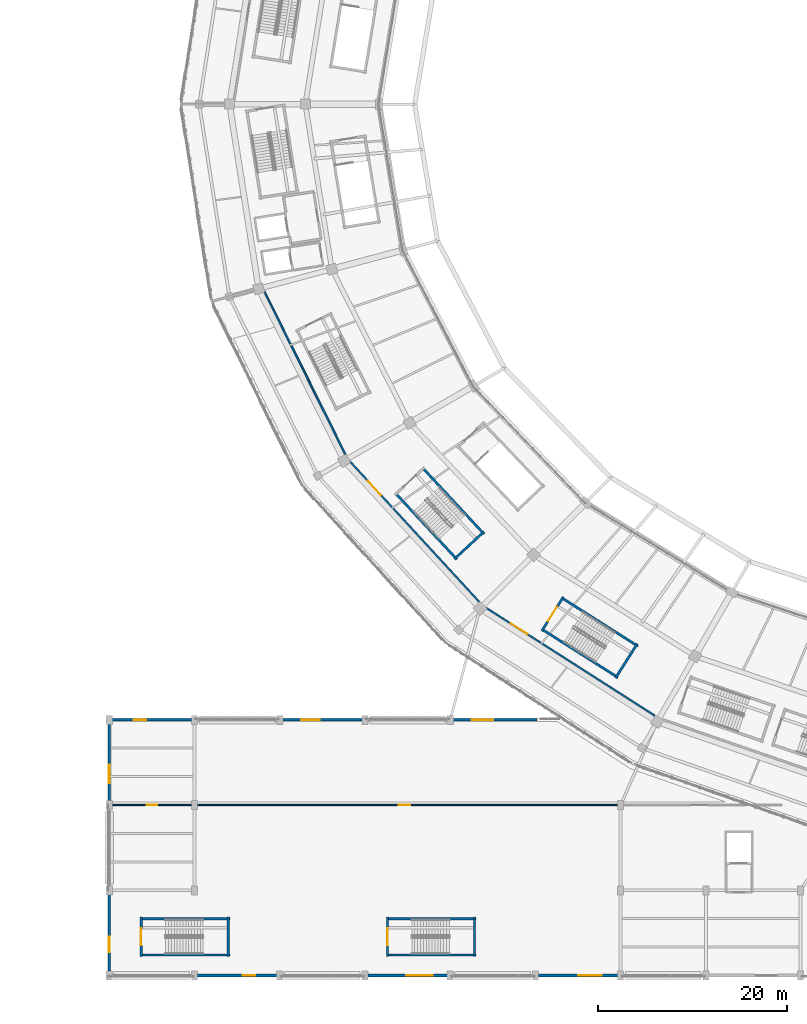
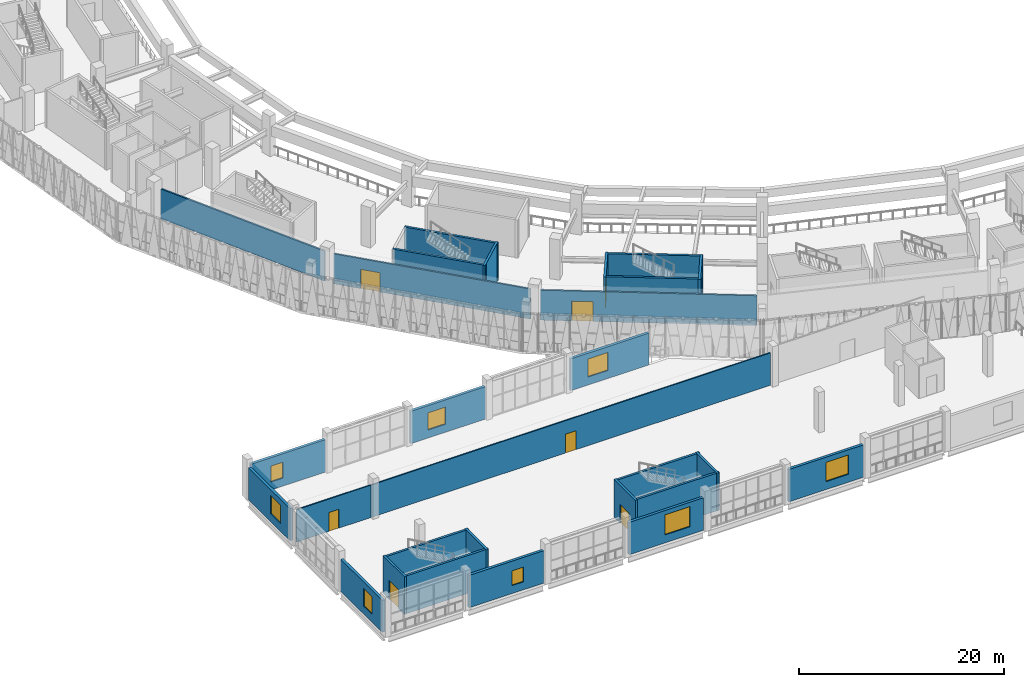
# One storey, part 97 of 179: 28 walls, 8 windows, 7 doors, 15 openings.
"""IFC4 building model written with IfcOpenShell, lengths in metres."""

import ifcopenshell
import ifcopenshell.guid

model = None  # the IFC model being written
_history = None  # IfcOwnerHistory: only IFC2X3 demands one
_inside = {}  # id of a spatial element -> (the spatial element, [elements in it])
_under = {}  # id of a project, library or spatial element -> (it, [spatial elements below it])
_declared = {}  # id of a project -> (the project, [libraries it declares])
_typed = {}  # id of a type object -> (the type object, [elements of that type])
_made_of = {}  # id of a material, layer set ... -> (it, [elements and type objects made of it])


def new_model(schema):
    """Start an empty IFC model of exactly this schema.

    Asked for "IFC4X3", IfcOpenShell would pick the latest addendum, in which some entities
    have other attributes; the version numbers below select the first issue.
    IFC2X3 requires an IfcOwnerHistory on every rooted entity: one is made here for all.
    """
    global model, _history
    if schema == "IFC4X3":
        model = ifcopenshell.file(schema_version=(4, 3, 0, 0))
    else:
        model = ifcopenshell.file(schema=schema)
    _inside.clear()
    _under.clear()
    _declared.clear()
    _typed.clear()
    _made_of.clear()
    _history = None
    if model.schema == "IFC2X3":
        org = make("IfcOrganization", Name="unknown")
        user = make(
            "IfcPersonAndOrganization",
            ThePerson=make("IfcPerson", FamilyName="unknown"),
            TheOrganization=org,
        )
        app = make(
            "IfcApplication",
            ApplicationDeveloper=org,
            Version="unknown",
            ApplicationFullName="unknown",
            ApplicationIdentifier="unknown",
        )
        _history = make(
            "IfcOwnerHistory",
            OwningUser=user,
            OwningApplication=app,
            ChangeAction="ADDED",
            CreationDate=0,
        )
    return model


def make(cls, **values):
    """One entity of the class cls with the attributes given. An attribute that is None is left unset."""
    return model.create_entity(
        cls, **{name: value for name, value in values.items() if value is not None}
    )


def rooted(cls, **values):
    """An entity with a GlobalId (a new one), such as an element, a storey or a relation."""
    return make(cls, GlobalId=ifcopenshell.guid.new(), OwnerHistory=_history, **values)


def si_unit(unit_type, name, prefix=None):
    """IfcSIUnit, for example si_unit("LENGTHUNIT", "METRE", prefix="MILLI")."""
    return make("IfcSIUnit", UnitType=unit_type, Prefix=prefix, Name=name)


def assignment(units):
    """IfcUnitAssignment: the units of a project."""
    return None if units is None else make("IfcUnitAssignment", Units=units)


def point(xyz):
    """IfcCartesianPoint."""
    return None if xyz is None else make("IfcCartesianPoint", Coordinates=xyz)


def direction(xyz):
    """IfcDirection."""
    return None if xyz is None else make("IfcDirection", DirectionRatios=xyz)


def frame(location, z_axis=None, x_axis=None):
    """IfcAxis2Placement3D, a coordinate frame: its origin and axes. An axis left out is left unset."""
    return make(
        "IfcAxis2Placement3D",
        Location=point(location),
        Axis=direction(z_axis),
        RefDirection=direction(x_axis),
    )


def frame_2d(location, x_axis=None):
    """IfcAxis2Placement2D, a coordinate frame in the plane: its origin and x axis."""
    return make(
        "IfcAxis2Placement2D", Location=point(location), RefDirection=direction(x_axis)
    )


def origin():
    """The frame at (0, 0, 0) with its axes left unset."""
    return frame((0.0, 0.0, 0.0))


def place(relative_to, where):
    """IfcLocalPlacement: puts the frame where relative to a parent placement (None: the world)."""
    return make(
        "IfcLocalPlacement", PlacementRelTo=relative_to, RelativePlacement=where
    )


def context(
    kind, dimensions, precision=None, world=None, true_north=None, identifier=None
):
    """IfcGeometricRepresentationContext, for example the 3D "Model" context."""
    return make(
        "IfcGeometricRepresentationContext",
        ContextIdentifier=identifier,
        ContextType=kind,
        CoordinateSpaceDimension=dimensions,
        Precision=precision,
        WorldCoordinateSystem=world,
        TrueNorth=true_north,
    )


def subcontext(parent, identifier, kind, view, scale=None):
    """IfcGeometricRepresentationSubContext, for example "Body" below "Model"."""
    return make(
        "IfcGeometricRepresentationSubContext",
        ContextIdentifier=identifier,
        ContextType=kind,
        ParentContext=parent,
        TargetScale=scale,
        TargetView=view,
    )


def project(units=None, contexts=None):
    """IfcProject with its units and contexts."""
    return rooted(
        "IfcProject",
        Name="project",
        RepresentationContexts=contexts,
        UnitsInContext=assignment(units),
    )


def spatial(cls, under=None, at=None, **own):
    """A site, building, storey or space (cls), placed at a placement, below another one or the project."""
    s = rooted(cls, ObjectPlacement=at, **own)
    if under is not None:
        _under.setdefault(under.id(), (under, []))[1].append(s)
    return s


def profile(cls, at=None, kind="AREA", **sizes):
    """A parametric profile (cls). Its sizes go by their IFC names, for example OverallWidth=200.0."""
    return make(cls, ProfileType=kind, Position=at, **sizes)


def rectangle(**sizes):
    """IfcRectangleProfileDef."""
    return profile("IfcRectangleProfileDef", **sizes)


def extrude(swept, where, along, depth):
    """IfcExtrudedAreaSolid: the profile swept, set in the frame where, extruded along a direction by depth."""
    return make(
        "IfcExtrudedAreaSolid",
        SweptArea=swept,
        Position=where,
        ExtrudedDirection=direction(along),
        Depth=depth,
    )


def shape(context_of_items, identifier, shape_type, items):
    """IfcShapeRepresentation: the items that make up one representation, for example the "Body"."""
    return make(
        "IfcShapeRepresentation",
        ContextOfItems=context_of_items,
        RepresentationIdentifier=identifier,
        RepresentationType=shape_type,
        Items=items,
    )


def material(Name=None, Category=None):
    """IfcMaterial."""
    return make("IfcMaterial", Name=Name, Category=Category)


def layer(
    of_material, thickness, ventilated=None, Name=None, Category=None, Priority=None
):
    """IfcMaterialLayer: one layer of a wall or slab, of a material (None: an air gap)."""
    return make(
        "IfcMaterialLayer",
        Material=of_material,
        LayerThickness=thickness,
        IsVentilated=ventilated,
        Name=Name,
        Category=Category,
        Priority=Priority,
    )


def layer_set(layers, Name=None):
    """IfcMaterialLayerSet."""
    return make("IfcMaterialLayerSet", MaterialLayers=layers, LayerSetName=Name)


def made_of(thing, what):
    """Note that an element or type object is made of a material, layer set ...; save() writes the relation."""
    if what is not None:
        _made_of.setdefault(what.id(), (what, []))[1].append(thing)
    return thing


def type_object(cls, material=None, **own):
    """A type object (cls), such as IfcWallType, which elements share."""
    return made_of(rooted(cls, **own), material)


def element(
    cls,
    number,
    at=None,
    inside=None,
    cuts=None,
    type_object=None,
    material=None,
    context=None,
    identifier="Body",
    shape_type=None,
    held_by="IfcProductDefinitionShape",
    body=None,
    shapes=None,
    **own,
):
    """One element of the class cls, such as IfcWall. Its Tag is "e" and its number.

    at: its placement. inside: the storey or other place that contains it. cuts: it is an
    opening in that element (IfcRelVoidsElement). A single representation is given by context,
    identifier, shape_type and body (its items); several are given by shapes. held_by: the class
    of the entity that holds the representations. save() writes the other relations.
    """
    e = rooted(cls, Tag="e%d" % number, ObjectPlacement=at, **own)
    if body is not None:
        shapes = [shape(context, identifier, shape_type, body)]
    if shapes is not None:
        e.Representation = make(held_by, Representations=shapes)
    if inside is not None:
        _inside.setdefault(inside.id(), (inside, []))[1].append(e)
    if cuts is not None:
        rooted(
            "IfcRelVoidsElement", RelatingBuildingElement=cuts, RelatedOpeningElement=e
        )
    if type_object is not None:
        _typed.setdefault(type_object.id(), (type_object, []))[1].append(e)
    return made_of(e, material)


def fill(opening, filler):
    """IfcRelFillsElement: the door or window that sits in an opening."""
    return rooted(
        "IfcRelFillsElement",
        RelatingOpeningElement=opening,
        RelatedBuildingElement=filler,
    )


def aggregate(whole, parts):
    """IfcRelAggregates: a whole, such as a stair, and the parts it consists of."""
    return rooted("IfcRelAggregates", RelatingObject=whole, RelatedObjects=parts)


def save(model, path):
    """Write the relations noted so far, then the file.

    IfcRelAggregates (storeys below a building ...), IfcRelContainedInSpatialStructure (elements
    in a storey), IfcRelDefinesByType, IfcRelAssociatesMaterial and IfcRelDeclares: one each for
    every whole, place, type object, material and project.
    """
    for whole, parts in _under.values():
        aggregate(whole, parts)
    for where, things in _inside.values():
        rooted(
            "IfcRelContainedInSpatialStructure",
            RelatedElements=things,
            RelatingStructure=where,
        )
    for kind, things in _typed.values():
        rooted("IfcRelDefinesByType", RelatedObjects=things, RelatingType=kind)
    for what, things in _made_of.values():
        rooted("IfcRelAssociatesMaterial", RelatedObjects=things, RelatingMaterial=what)
    for by, libraries in _declared.values():
        rooted("IfcRelDeclares", RelatingContext=by, RelatedDefinitions=libraries)
    model.write(path)


model = new_model("IFC4")

# Units and contexts
model_context = context("Model", 3, precision=1e-05, world=origin(), true_north=direction((0.0, 1.0)))
body_context = subcontext(model_context, "Body", "Model", "MODEL_VIEW")
ifc_project = project(units=[si_unit("LENGTHUNIT", "METRE"), si_unit("AREAUNIT", "SQUARE_METRE"), si_unit("VOLUMEUNIT", "CUBIC_METRE"), si_unit("PLANEANGLEUNIT", "RADIAN"), si_unit("MASSUNIT", "GRAM", prefix="KILO")], contexts=[model_context])

# Site, building, storey
site_placement = place(None, origin())
site = spatial("IfcSite", under=ifc_project, at=site_placement, CompositionType="ELEMENT")
building_placement = place(site_placement, origin())
building = spatial("IfcBuilding", under=site, at=building_placement, Name="Zevraka Park Crest Stadium", CompositionType="ELEMENT")
storey_placement = place(building_placement, frame((0.0, 0.0, 10.199951171875)))
storey = spatial("IfcBuildingStorey", under=building, at=storey_placement, Name="L02", CompositionType="ELEMENT", Elevation=10.199951171875)

# Wall, opening, window
ifc_material_1 = material(Name="Limestone and red clay brick masonry", Category="masonry")
ifc_layer_1 = layer(ifc_material_1, 0.300048828125)
ifc_layer_set_1 = layer_set([ifc_layer_1], Name="Limestone and red clay brick masonry")
wall_type_1 = type_object("IfcWallType", Name="EW02", PredefinedType="STANDARD", material=ifc_layer_set_1)
wall_1_placement = place(storey_placement, frame((62.699951171875, 0.0, 0.0), z_axis=(0.0, 0.0, 1.0), x_axis=(-1.0, 0.0, 0.0)))
wall_1 = element("IfcWall", 1, at=wall_1_placement, inside=storey, type_object=wall_type_1, Name="Wing External Cavity Wall EW02 L02-SW-S1-3", PredefinedType="STANDARD", context=body_context, shape_type="SweptSolid", body=[
    extrude(rectangle(XDim=8.39990234375, YDim=0.300048828125, at=frame_2d((4.199951171875, 0.0))), origin(), (0.0, 0.0, 1.0), 3.85498046875),
])
opening_1_placement = place(wall_1_placement, frame((1.68994140625, 0.0, 0.949951171875)))
opening_1 = element("IfcOpeningElement", 2, at=opening_1_placement, cuts=wall_1, Name="Opening WN29", PredefinedType="OPENING", context=body_context, shape_type="SweptSolid", body=[
    extrude(rectangle(XDim=2.5, YDim=2.300048828125, at=frame_2d((1.25, 1.14990234375))), frame((0.0, 0.159912109375, 0.0), z_axis=(0.0, -1.0, 0.0), x_axis=(1.0, 0.0, 0.0)), (0.0, 0.0, 1.0), 0.320068359375),
])
ifc_material_2 = material(Name="Solar-control laminated double glazing in aluminium frame", Category="aluminium")
window_type_1 = type_object("IfcWindowType", Name="WN29", PartitioningType="SINGLE_PANEL", PredefinedType="WINDOW", material=ifc_material_2)
window_1_placement = place(opening_1_placement, origin())
window_1 = element("IfcWindow", 3, at=window_1_placement, inside=storey, type_object=window_type_1, Name="Facade Casement Window WN29 W-L02-070", OverallHeight=2.300048828125, OverallWidth=2.5, PartitioningType="SINGLE_PANEL", PredefinedType="WINDOW", context=body_context, shape_type="SweptSolid", body=[
    extrude(rectangle(XDim=2.5, YDim=2.300048828125, at=frame_2d((1.25, 1.14990234375))), frame((0.0, 0.030029296875, 0.0), z_axis=(0.0, -1.0, 0.0), x_axis=(1.0, 0.0, 0.0)), (0.0, 0.0, 1.0), 0.06005859375),
])
fill(opening_1, window_1)

wall_2_placement = place(storey_placement, frame((44.699951171875, 0.0, 0.0), z_axis=(0.0, 0.0, 1.0), x_axis=(-1.0, 0.0, 0.0)))
wall_2 = element("IfcWall", 4, at=wall_2_placement, inside=storey, type_object=wall_type_1, Name="Wing External Cavity Wall EW02 L02-SW-S1-5", PredefinedType="STANDARD", context=body_context, shape_type="SweptSolid", body=[
    extrude(rectangle(XDim=8.39990234375, YDim=0.300048828125, at=frame_2d((4.199951171875, 0.0))), origin(), (0.0, 0.0, 1.0), 3.85498046875),
])
opening_2_placement = place(wall_2_placement, frame((1.5400390625, 0.0, 0.949951171875)))
opening_2 = element("IfcOpeningElement", 5, at=opening_2_placement, cuts=wall_2, Name="Opening WN30", PredefinedType="OPENING", context=body_context, shape_type="SweptSolid", body=[
    extrude(rectangle(XDim=2.800048828125, YDim=2.39990234375, at=frame_2d((1.39990234375, 1.199951171875))), frame((0.0, 0.159912109375, 0.0), z_axis=(0.0, -1.0, 0.0), x_axis=(1.0, 0.0, 0.0)), (0.0, 0.0, 1.0), 0.320068359375),
])
ifc_material_3 = material(Name="Solar-control laminated double glazing in aluminium frame", Category="aluminium")
window_type_2 = type_object("IfcWindowType", Name="WN30", PartitioningType="SINGLE_PANEL", PredefinedType="WINDOW", material=ifc_material_3)
window_2_placement = place(opening_2_placement, origin())
window_2 = element("IfcWindow", 6, at=window_2_placement, inside=storey, type_object=window_type_2, Name="Facade Casement Window WN30 W-L02-071", OverallHeight=2.39990234375, OverallWidth=2.800048828125, PartitioningType="SINGLE_PANEL", PredefinedType="WINDOW", context=body_context, shape_type="SweptSolid", body=[
    extrude(rectangle(XDim=2.800048828125, YDim=2.39990234375, at=frame_2d((1.39990234375, 1.199951171875))), frame((0.0, 0.030029296875, 0.0), z_axis=(0.0, -1.0, 0.0), x_axis=(1.0, 0.0, 0.0)), (0.0, 0.0, 1.0), 0.06005859375),
])
fill(opening_2, window_2)

wall_3_placement = place(storey_placement, frame((26.699951171875, 0.0, 0.0), z_axis=(0.0, 0.0, 1.0), x_axis=(-1.0, 0.0, 0.0)))
wall_3 = element("IfcWall", 7, at=wall_3_placement, inside=storey, type_object=wall_type_1, Name="Wing External Cavity Wall EW02 L02-SW-S1-7", PredefinedType="STANDARD", context=body_context, shape_type="SweptSolid", body=[
    extrude(rectangle(XDim=8.39990234375, YDim=0.300048828125, at=frame_2d((4.199951171875, 0.0))), origin(), (0.0, 0.0, 1.0), 3.85498046875),
])
opening_3_placement = place(wall_3_placement, frame((2.2900390625, 0.0, 0.949951171875)))
opening_3 = element("IfcOpeningElement", 8, at=opening_3_placement, cuts=wall_3, Name="Opening WN31", PredefinedType="OPENING", context=body_context, shape_type="SweptSolid", body=[
    extrude(rectangle(XDim=1.300048828125, YDim=1.75, at=frame_2d((0.64990234375, 0.875))), frame((0.0, 0.159912109375, 0.0), z_axis=(0.0, -1.0, 0.0), x_axis=(1.0, 0.0, 0.0)), (0.0, 0.0, 1.0), 0.320068359375),
])
ifc_material_4 = material(Name="Solar-control laminated double glazing in aluminium frame", Category="aluminium")
window_type_3 = type_object("IfcWindowType", Name="WN31", PartitioningType="SINGLE_PANEL", PredefinedType="WINDOW", material=ifc_material_4)
window_3_placement = place(opening_3_placement, origin())
window_3 = element("IfcWindow", 9, at=window_3_placement, inside=storey, type_object=window_type_3, Name="Facade Casement Window WN31 W-L02-072", OverallHeight=1.75, OverallWidth=1.300048828125, PartitioningType="SINGLE_PANEL", PredefinedType="WINDOW", context=body_context, shape_type="SweptSolid", body=[
    extrude(rectangle(XDim=1.300048828125, YDim=1.75, at=frame_2d((0.64990234375, 0.875))), frame((0.0, 0.030029296875, 0.0), z_axis=(0.0, -1.0, 0.0), x_axis=(1.0, 0.0, 0.0)), (0.0, 0.0, 1.0), 0.06005859375),
])
fill(opening_3, window_3)

wall_4_placement = place(storey_placement, frame((9.0, 0.449951171875, 0.0), z_axis=(0.0, 0.0, 1.0), x_axis=(0.0, 1.0, 0.0)))
wall_4 = element("IfcWall", 10, at=wall_4_placement, inside=storey, type_object=wall_type_1, Name="Wing External Cavity Wall EW02 L02-SW-W-1", PredefinedType="STANDARD", context=body_context, shape_type="SweptSolid", body=[
    extrude(rectangle(XDim=8.10009765625, YDim=0.300048828125, at=frame_2d((4.050048828125, 0.0))), origin(), (0.0, 0.0, 1.0), 3.817138671875),
])
opening_4_placement = place(wall_4_placement, frame((2.02490234375, 0.0, 0.949951171875)))
opening_4 = element("IfcOpeningElement", 11, at=opening_4_placement, cuts=wall_4, Name="Opening WN38", PredefinedType="OPENING", context=body_context, shape_type="SweptSolid", body=[
    extrude(rectangle(XDim=1.6201171875, YDim=2.1201171875, at=frame_2d((0.81005859375, 1.06005859375))), frame((0.0, 0.159912109375, 0.0), z_axis=(0.0, -1.0, 0.0), x_axis=(1.0, 0.0, 0.0)), (0.0, 0.0, 1.0), 0.320068359375),
])
ifc_material_5 = material(Name="Solar-control laminated double glazing in aluminium frame", Category="aluminium")
window_type_4 = type_object("IfcWindowType", Name="WN38", PartitioningType="SINGLE_PANEL", PredefinedType="WINDOW", material=ifc_material_5)
window_4_placement = place(opening_4_placement, origin())
window_4 = element("IfcWindow", 12, at=window_4_placement, inside=storey, type_object=window_type_4, Name="Facade Casement Window WN38 W-L02-079", OverallHeight=2.1201171875, OverallWidth=1.6201171875, PartitioningType="SINGLE_PANEL", PredefinedType="WINDOW", context=body_context, shape_type="SweptSolid", body=[
    extrude(rectangle(XDim=1.6201171875, YDim=2.1201171875, at=frame_2d((0.81005859375, 1.06005859375))), frame((0.0, 0.030029296875, 0.0), z_axis=(0.0, -1.0, 0.0), x_axis=(1.0, 0.0, 0.0)), (0.0, 0.0, 1.0), 0.06005859375),
])
fill(opening_4, window_4)

wall_5_placement = place(storey_placement, frame((9.0, 18.449951171875, 0.0), z_axis=(0.0, 0.0, 1.0), x_axis=(0.0, 1.0, 0.0)))
wall_5 = element("IfcWall", 13, at=wall_5_placement, inside=storey, type_object=wall_type_1, Name="Wing External Cavity Wall EW02 L02-SW-W-3", PredefinedType="STANDARD", context=body_context, shape_type="SweptSolid", body=[
    extrude(rectangle(XDim=8.10009765625, YDim=0.300048828125, at=frame_2d((4.050048828125, 0.0))), origin(), (0.0, 0.0, 1.0), 3.817138671875),
])
opening_5_placement = place(wall_5_placement, frame((1.875, 0.0, 0.949951171875)))
opening_5 = element("IfcOpeningElement", 14, at=opening_5_placement, cuts=wall_5, Name="Opening WN39", PredefinedType="OPENING", context=body_context, shape_type="SweptSolid", body=[
    extrude(rectangle(XDim=1.919921875, YDim=2.179931640625, at=frame_2d((0.9599609375, 1.08984375))), frame((0.0, 0.159912109375, 0.0), z_axis=(0.0, -1.0, 0.0), x_axis=(1.0, 0.0, 0.0)), (0.0, 0.0, 1.0), 0.320068359375),
])
ifc_material_6 = material(Name="Solar-control laminated double glazing in aluminium frame", Category="aluminium")
window_type_5 = type_object("IfcWindowType", Name="WN39", PartitioningType="SINGLE_PANEL", PredefinedType="WINDOW", material=ifc_material_6)
window_5_placement = place(opening_5_placement, origin())
window_5 = element("IfcWindow", 15, at=window_5_placement, inside=storey, type_object=window_type_5, Name="Facade Casement Window WN39 W-L02-080", OverallHeight=2.179931640625, OverallWidth=1.919921875, PartitioningType="SINGLE_PANEL", PredefinedType="WINDOW", context=body_context, shape_type="SweptSolid", body=[
    extrude(rectangle(XDim=1.919921875, YDim=2.179931640625, at=frame_2d((0.9599609375, 1.08984375))), frame((0.0, 0.030029296875, 0.0), z_axis=(0.0, -1.0, 0.0), x_axis=(1.0, 0.0, 0.0)), (0.0, 0.0, 1.0), 0.06005859375),
])
fill(opening_5, window_5)

wall_6_placement = place(storey_placement, frame((9.300048828125, 27.0, 0.0), z_axis=(0.0, 0.0, 1.0), x_axis=(1.0, 0.0, 0.0)))
wall_6 = element("IfcWall", 16, at=wall_6_placement, inside=storey, type_object=wall_type_1, Name="Wing External Cavity Wall EW02 L02-SW-N-1", PredefinedType="STANDARD", context=body_context, shape_type="SweptSolid", body=[
    extrude(rectangle(XDim=8.39990234375, YDim=0.300048828125, at=frame_2d((4.199951171875, 0.0))), origin(), (0.0, 0.0, 1.0), 3.85498046875),
])
opening_6_placement = place(wall_6_placement, frame((2.264892578125, 0.0, 0.949951171875)))
opening_6 = element("IfcOpeningElement", 17, at=opening_6_placement, cuts=wall_6, Name="Opening WN09", PredefinedType="OPENING", context=body_context, shape_type="SweptSolid", body=[
    extrude(rectangle(XDim=1.35009765625, YDim=1.89990234375, at=frame_2d((0.675048828125, 0.949951171875))), frame((0.0, 0.159912109375, 0.0), z_axis=(0.0, -1.0, 0.0), x_axis=(1.0, 0.0, 0.0)), (0.0, 0.0, 1.0), 0.320068359375),
])
ifc_material_7 = material(Name="Solar-control laminated double glazing in aluminium frame", Category="aluminium")
window_type_6 = type_object("IfcWindowType", Name="WN09", PartitioningType="SINGLE_PANEL", PredefinedType="WINDOW", material=ifc_material_7)
window_6_placement = place(opening_6_placement, origin())
window_6 = element("IfcWindow", 18, at=window_6_placement, inside=storey, type_object=window_type_6, Name="Facade Casement Window WN09 W-L02-091", OverallHeight=1.89990234375, OverallWidth=1.35009765625, PartitioningType="SINGLE_PANEL", PredefinedType="WINDOW", context=body_context, shape_type="SweptSolid", body=[
    extrude(rectangle(XDim=1.35009765625, YDim=1.89990234375, at=frame_2d((0.675048828125, 0.949951171875))), frame((0.0, 0.030029296875, 0.0), z_axis=(0.0, -1.0, 0.0), x_axis=(1.0, 0.0, 0.0)), (0.0, 0.0, 1.0), 0.06005859375),
])
fill(opening_6, window_6)

wall_7_placement = place(storey_placement, frame((27.300048828125, 27.0, 0.0), z_axis=(0.0, 0.0, 1.0), x_axis=(1.0, 0.0, 0.0)))
wall_7 = element("IfcWall", 19, at=wall_7_placement, inside=storey, type_object=wall_type_1, Name="Wing External Cavity Wall EW02 L02-SW-N-3", PredefinedType="STANDARD", context=body_context, shape_type="SweptSolid", body=[
    extrude(rectangle(XDim=8.39990234375, YDim=0.300048828125, at=frame_2d((4.199951171875, 0.0))), origin(), (0.0, 0.0, 1.0), 3.85498046875),
])
opening_7_placement = place(wall_7_placement, frame((1.965087890625, 0.0, 0.949951171875)))
opening_7 = element("IfcOpeningElement", 20, at=opening_7_placement, cuts=wall_7, Name="Opening WN10", PredefinedType="OPENING", context=body_context, shape_type="SweptSolid", body=[
    extrude(rectangle(XDim=1.949951171875, YDim=2.050048828125, at=frame_2d((0.97509765625, 1.02490234375))), frame((0.0, 0.159912109375, 0.0), z_axis=(0.0, -1.0, 0.0), x_axis=(1.0, 0.0, 0.0)), (0.0, 0.0, 1.0), 0.320068359375),
])
ifc_material_8 = material(Name="Solar-control laminated double glazing in aluminium frame", Category="aluminium")
window_type_7 = type_object("IfcWindowType", Name="WN10", PartitioningType="SINGLE_PANEL", PredefinedType="WINDOW", material=ifc_material_8)
window_7_placement = place(opening_7_placement, origin())
window_7 = element("IfcWindow", 21, at=window_7_placement, inside=storey, type_object=window_type_7, Name="Facade Casement Window WN10 W-L02-092", OverallHeight=2.050048828125, OverallWidth=1.949951171875, PartitioningType="SINGLE_PANEL", PredefinedType="WINDOW", context=body_context, shape_type="SweptSolid", body=[
    extrude(rectangle(XDim=1.949951171875, YDim=2.050048828125, at=frame_2d((0.97509765625, 1.02490234375))), frame((0.0, 0.030029296875, 0.0), z_axis=(0.0, -1.0, 0.0), x_axis=(1.0, 0.0, 0.0)), (0.0, 0.0, 1.0), 0.06005859375),
])
fill(opening_7, window_7)

wall_8_placement = place(storey_placement, frame((45.300048828125, 27.0, 0.0), z_axis=(0.0, 0.0, 1.0), x_axis=(1.0, 0.0, 0.0)))
wall_8 = element("IfcWall", 22, at=wall_8_placement, inside=storey, type_object=wall_type_1, Name="Wing External Cavity Wall EW02 L02-SW-N-5", PredefinedType="STANDARD", context=body_context, shape_type="SweptSolid", body=[
    extrude(rectangle(XDim=8.849853515625, YDim=0.300048828125, at=frame_2d((4.4248046875, 0.0))), origin(), (0.0, 0.0, 1.0), 3.783447265625),
])
opening_8_placement = place(wall_8_placement, frame((1.972900390625, 0.0, 0.949951171875)))
opening_8 = element("IfcOpeningElement", 23, at=opening_8_placement, cuts=wall_8, Name="Opening WN11", PredefinedType="OPENING", context=body_context, shape_type="SweptSolid", body=[
    extrude(rectangle(XDim=2.25, YDim=2.14990234375, at=frame_2d((1.125, 1.074951171875))), frame((0.0, 0.159912109375, 0.0), z_axis=(0.0, -1.0, 0.0), x_axis=(1.0, 0.0, 0.0)), (0.0, 0.0, 1.0), 0.320068359375),
])
ifc_material_9 = material(Name="Solar-control laminated double glazing in aluminium frame", Category="aluminium")
window_type_8 = type_object("IfcWindowType", Name="WN11", PartitioningType="SINGLE_PANEL", PredefinedType="WINDOW", material=ifc_material_9)
window_8_placement = place(opening_8_placement, origin())
window_8 = element("IfcWindow", 24, at=window_8_placement, inside=storey, type_object=window_type_8, Name="Facade Casement Window WN11 W-L02-093", OverallHeight=2.14990234375, OverallWidth=2.25, PartitioningType="SINGLE_PANEL", PredefinedType="WINDOW", context=body_context, shape_type="SweptSolid", body=[
    extrude(rectangle(XDim=2.25, YDim=2.14990234375, at=frame_2d((1.125, 1.074951171875))), frame((0.0, 0.030029296875, 0.0), z_axis=(0.0, -1.0, 0.0), x_axis=(1.0, 0.0, 0.0)), (0.0, 0.0, 1.0), 0.06005859375),
])
fill(opening_8, window_8)

# Wall, opening, door
ifc_material_10 = material(Name="Fire-rated twin-stud acoustic drywall", Category="other")
ifc_layer_2 = layer(ifc_material_10, 0.139892578125)
ifc_layer_set_2 = layer_set([ifc_layer_2], Name="Fire-rated twin-stud acoustic drywall")
wall_type_2 = type_object("IfcWallType", Name="IW03", PredefinedType="PARTITIONING", material=ifc_layer_set_2)
wall_9_placement = place(storey_placement, frame((9.31005859375, 18.0, 0.0), z_axis=(0.0, 0.0, 1.0), x_axis=(1.0, 0.0, 0.0)))
wall_9 = element("IfcWall", 25, at=wall_9_placement, inside=storey, type_object=wall_type_2, Name="Interior Partition IW03 Event Security and Accreditation Office L02", PredefinedType="PARTITIONING", context=body_context, shape_type="SweptSolid", body=[
    extrude(rectangle(XDim=8.3798828125, YDim=0.139892578125, at=frame_2d((4.18994140625, 0.0))), origin(), (0.0, 0.0, 1.0), 3.85498046875),
])
opening_9_placement = place(wall_9_placement, frame((3.6298828125, 0.0, 0.0)))
opening_9 = element("IfcOpeningElement", 26, at=opening_9_placement, cuts=wall_9, Name="Opening D-L02-432", PredefinedType="OPENING", context=body_context, shape_type="SweptSolid", body=[
    extrude(rectangle(XDim=1.1201171875, YDim=2.25, at=frame_2d((0.56005859375, 1.125))), frame((0.0, 0.079833984375, 0.0), z_axis=(0.0, -1.0, 0.0), x_axis=(1.0, 0.0, 0.0)), (0.0, 0.0, 1.0), 0.159912109375),
])
ifc_material_11 = material(Name="Solid-core hardwood timber leaf in steel frame", Category="steel")
door_type_1 = type_object("IfcDoorType", Name="DR23", OperationType="NOTDEFINED", PredefinedType="DOOR", material=ifc_material_11)
door_1_placement = place(opening_9_placement, origin())
door_1 = element("IfcDoor", 27, at=door_1_placement, inside=storey, type_object=door_type_1, Name="Event Security and Accreditation Office Door D-L02-432", OperationType="SINGLE_SWING_LEFT", OverallHeight=2.25, OverallWidth=1.1201171875, PredefinedType="DOOR", context=body_context, shape_type="SweptSolid", body=[
    extrude(rectangle(XDim=1.1201171875, YDim=2.25, at=frame_2d((0.56005859375, 1.125))), frame((0.0, 0.02490234375, 0.0), z_axis=(0.0, -1.0, 0.0), x_axis=(1.0, 0.0, 0.0)), (0.0, 0.0, 1.0), 0.050048828125),
])
fill(opening_9, door_1)

wall_10_placement = place(storey_placement, frame((17.675048828125, 18.0, 0.0), z_axis=(0.0, 0.0, 1.0), x_axis=(1.0, 0.0, 0.0)))
wall_10 = element("IfcWall", 28, at=wall_10_placement, inside=storey, type_object=wall_type_2, Name="Interior Partition IW03 Event Security and Accreditation Office L02", PredefinedType="PARTITIONING", context=body_context, shape_type="SweptSolid", body=[
    extrude(rectangle(XDim=45.014892578125, YDim=0.139892578125, at=frame_2d((22.50732421875, 0.0))), origin(), (0.0, 0.0, 1.0), 3.85498046875),
])
opening_10_placement = place(wall_10_placement, frame((21.91796875, 0.0, 0.0)))
opening_10 = element("IfcOpeningElement", 29, at=opening_10_placement, cuts=wall_10, Name="Opening D-L02-433", PredefinedType="OPENING", context=body_context, shape_type="SweptSolid", body=[
    extrude(rectangle(XDim=1.179931640625, YDim=2.25, at=frame_2d((0.58984375, 1.125))), frame((0.0, 0.079833984375, 0.0), z_axis=(0.0, -1.0, 0.0), x_axis=(1.0, 0.0, 0.0)), (0.0, 0.0, 1.0), 0.159912109375),
])
ifc_material_12 = material(Name="Solid-core hardwood timber leaf in steel frame", Category="steel")
door_type_2 = type_object("IfcDoorType", Name="DR24", OperationType="NOTDEFINED", PredefinedType="DOOR", material=ifc_material_12)
door_2_placement = place(opening_10_placement, origin())
door_2 = element("IfcDoor", 30, at=door_2_placement, inside=storey, type_object=door_type_2, Name="Event Security and Accreditation Office Door D-L02-433", OperationType="SINGLE_SWING_RIGHT", OverallHeight=2.25, OverallWidth=1.179931640625, PredefinedType="DOOR", context=body_context, shape_type="SweptSolid", body=[
    extrude(rectangle(XDim=1.179931640625, YDim=2.25, at=frame_2d((0.58984375, 1.125))), frame((0.0, 0.02490234375, 0.0), z_axis=(0.0, -1.0, 0.0), x_axis=(1.0, 0.0, 0.0)), (0.0, 0.0, 1.0), 0.050048828125),
])
fill(opening_10, door_2)

# Wall
ifc_material_13 = material(Name="Fire-rated twin-stud acoustic drywall", Category="other")
ifc_layer_3 = layer(ifc_material_13, 0.179931640625)
ifc_layer_set_3 = layer_set([ifc_layer_3], Name="Fire-rated twin-stud acoustic drywall")
wall_type_3 = type_object("IfcWallType", Name="IW06", PredefinedType="PARTITIONING", material=ifc_layer_set_3)
wall_11_placement = place(storey_placement, frame((25.384033203125, 72.215087890625, 0.0), z_axis=(0.0, 0.0, 1.0), x_axis=(0.445193759993, -0.895434261162, 0.0)))
element("IfcWall", 31, at=wall_11_placement, inside=storey, type_object=wall_type_3, Name="Interior Partition IW06 West Club Members Lounge L02", PredefinedType="PARTITIONING", context=body_context, shape_type="SweptSolid", body=[
    extrude(rectangle(XDim=19.205322265625, YDim=0.179931640625, at=frame_2d((9.6025390625, 0.0))), origin(), (0.0, 0.0, 1.0), 3.56494140625),
])

# Wall, opening, door
wall_12_placement = place(storey_placement, frame((34.43994140625, 54.258056640625, 0.0), z_axis=(0.0, 0.0, 1.0), x_axis=(0.677448860536, -0.735569875239, 0.0)))
wall_12 = element("IfcWall", 32, at=wall_12_placement, inside=storey, type_object=wall_type_3, Name="Interior Partition IW06 West Club Members Lounge L02", PredefinedType="PARTITIONING", context=body_context, shape_type="SweptSolid", body=[
    extrude(rectangle(XDim=20.16259765625, YDim=0.179931640625, at=frame_2d((10.081298828125, 0.0))), origin(), (0.0, 0.0, 1.0), 3.56494140625),
])
opening_11_placement = place(wall_12_placement, frame((2.79296875, 0.0, 0.0)))
opening_11 = element("IfcOpeningElement", 33, at=opening_11_placement, cuts=wall_12, Name="Opening D-L02-409", PredefinedType="OPENING", context=body_context, shape_type="SweptSolid", body=[
    extrude(rectangle(XDim=2.0, YDim=2.300048828125, at=frame_2d((1.0, 1.14990234375))), frame((0.0, 0.099853515625, 0.0), z_axis=(0.0, -1.0, 0.0), x_axis=(1.0, 0.0, 0.0)), (0.0, 0.0, 1.0), 0.199951171875),
])
ifc_material_14 = material(Name="Solid-core hardwood timber leaf in steel frame", Category="steel")
door_type_3 = type_object("IfcDoorType", Name="DR16", OperationType="NOTDEFINED", PredefinedType="DOOR", material=ifc_material_14)
door_3_placement = place(opening_11_placement, origin())
door_3 = element("IfcDoor", 34, at=door_3_placement, inside=storey, type_object=door_type_3, Name="West Club Members Lounge Door D-L02-409", OperationType="DOUBLE_DOOR_SINGLE_SWING", OverallHeight=2.300048828125, OverallWidth=2.0, PredefinedType="DOOR", context=body_context, shape_type="SweptSolid", body=[
    extrude(rectangle(XDim=2.0, YDim=2.300048828125, at=frame_2d((1.0, 1.14990234375))), frame((0.0, 0.02490234375, 0.0), z_axis=(0.0, -1.0, 0.0), x_axis=(1.0, 0.0, 0.0)), (0.0, 0.0, 1.0), 0.050048828125),
])
fill(opening_11, door_3)

wall_13_placement = place(storey_placement, frame((48.798095703125, 38.825927734375, 0.0), z_axis=(0.0, 0.0, 1.0), x_axis=(0.842559137296, -0.538603843431, 0.0)))
wall_13 = element("IfcWall", 35, at=wall_13_placement, inside=storey, type_object=wall_type_3, Name="Interior Partition IW06 West Club Members Lounge L02", PredefinedType="PARTITIONING", context=body_context, shape_type="SweptSolid", body=[
    extrude(rectangle(XDim=21.163818359375, YDim=0.179931640625, at=frame_2d((10.58203125, 0.0))), origin(), (0.0, 0.0, 1.0), 3.56494140625),
])
opening_12_placement = place(wall_13_placement, frame((3.0849609375, 0.0, 0.0)))
opening_12 = element("IfcOpeningElement", 36, at=opening_12_placement, cuts=wall_13, Name="Opening D-L02-410", PredefinedType="OPENING", context=body_context, shape_type="SweptSolid", body=[
    extrude(rectangle(XDim=2.10009765625, YDim=2.35009765625, at=frame_2d((1.050048828125, 1.175048828125))), frame((0.0, 0.099853515625, 0.0), z_axis=(0.0, -1.0, 0.0), x_axis=(1.0, 0.0, 0.0)), (0.0, 0.0, 1.0), 0.199951171875),
])
ifc_material_15 = material(Name="Solid-core hardwood timber leaf in steel frame", Category="steel")
door_type_4 = type_object("IfcDoorType", Name="DR17", OperationType="NOTDEFINED", PredefinedType="DOOR", material=ifc_material_15)
door_4_placement = place(opening_12_placement, origin())
door_4 = element("IfcDoor", 37, at=door_4_placement, inside=storey, type_object=door_type_4, Name="West Club Members Lounge Door D-L02-410", OperationType="DOUBLE_DOOR_SINGLE_SWING", OverallHeight=2.35009765625, OverallWidth=2.10009765625, PredefinedType="DOOR", context=body_context, shape_type="SweptSolid", body=[
    extrude(rectangle(XDim=2.10009765625, YDim=2.35009765625, at=frame_2d((1.050048828125, 1.175048828125))), frame((0.0, 0.02490234375, 0.0), z_axis=(0.0, -1.0, 0.0), x_axis=(1.0, 0.0, 0.0)), (0.0, 0.0, 1.0), 0.050048828125),
])
fill(opening_12, door_4)

# Walls
ifc_material_16 = material(Name="Concrete C40/50", Category="concrete")
ifc_layer_4 = layer(ifc_material_16, 0.25)
ifc_layer_set_4 = layer_set([ifc_layer_4], Name="Concrete C40/50")
wall_type_4 = type_object("IfcWallType", Name="SW01", PredefinedType="SHEAR", material=ifc_layer_set_4)
for number, where, z_axis, x_axis, name in (
    (38, (39.1982421875, 50.952880859375, 0.0), (0.0, 0.0, 1.0), (0.680258890476, -0.732971924379, 0.0), "Stair Core Shear Wall SW01 ST15 L02 left"),
    (39, (48.568115234375, 46.61962890625, 0.0), (0.0, 0.0, 1.0), (-0.680271637111, 0.732960094236, 0.0), "Stair Core Shear Wall SW01 ST15 L02 right"),
):
    element("IfcWall", number, at=place(storey_placement, frame(where, z_axis=z_axis, x_axis=x_axis)), inside=storey, type_object=wall_type_4, Name=name, PredefinedType="SHEAR", context=body_context, shape_type="SweptSolid", body=[
        extrude(rectangle(XDim=9.550048828125, YDim=0.25, at=frame_2d((4.77490234375, 0.0))), origin(), (0.0, 0.0, 1.0), 4.5),
    ])
wall_14_placement = place(storey_placement, frame((45.4443359375, 43.972900390625, 0.0), z_axis=(0.0, 0.0, 1.0), x_axis=(0.73295064559, 0.680281817433, 0.0)))
element("IfcWall", 40, at=wall_14_placement, inside=storey, type_object=wall_type_4, Name="Stair Core Shear Wall SW01 ST15 L02 far", PredefinedType="SHEAR", context=body_context, shape_type="SweptSolid", body=[
    extrude(rectangle(XDim=4.260009765625, YDim=0.25, at=frame_2d((2.1298828125, 0.0))), origin(), (0.0, 0.0, 1.0), 4.5),
])
for number, where, z_axis, x_axis, name in (
    (41, (54.650146484375, 36.58544921875, 0.0), (0.0, 0.0, 1.0), (0.844391246241, -0.535727004427, 0.0), "Stair Core Shear Wall SW01 ST16 L02 left"),
    (42, (64.81396484375, 34.779296875, 0.0), (0.0, 0.0, 1.0), (-0.844391246241, 0.535727004427, 0.0), "Stair Core Shear Wall SW01 ST16 L02 right"),
):
    element("IfcWall", number, at=place(storey_placement, frame(where, z_axis=z_axis, x_axis=x_axis)), inside=storey, type_object=wall_type_4, Name=name, PredefinedType="SHEAR", context=body_context, shape_type="SweptSolid", body=[
        extrude(rectangle(XDim=9.550048828125, YDim=0.25, at=frame_2d((4.77490234375, 0.0))), origin(), (0.0, 0.0, 1.0), 4.5),
    ])

# Wall, opening, door
wall_15_placement = place(storey_placement, frame((56.94677734375, 39.971923828125, 0.0), z_axis=(0.0, 0.0, 1.0), x_axis=(-0.53572544074, -0.844392238325, 0.0)))
wall_15 = element("IfcWall", 43, at=wall_15_placement, inside=storey, type_object=wall_type_4, Name="Stair Core Shear Wall SW01 ST16 L02 near", PredefinedType="SHEAR", context=body_context, shape_type="SweptSolid", body=[
    extrude(rectangle(XDim=4.260009765625, YDim=0.25, at=frame_2d((2.1298828125, 0.0))), origin(), (0.0, 0.0, 1.0), 4.5),
])
opening_13_placement = place(wall_15_placement, frame((1.22998046875, 0.0, 0.0)))
opening_13 = element("IfcOpeningElement", 44, at=opening_13_placement, cuts=wall_15, Name="Opening D-L02-096", PredefinedType="OPENING", context=body_context, shape_type="SweptSolid", body=[
    extrude(rectangle(XDim=1.800048828125, YDim=2.25, at=frame_2d((0.89990234375, 1.125))), frame((0.0, 0.135009765625, 0.0), z_axis=(0.0, -1.0, 0.0), x_axis=(1.0, 0.0, 0.0)), (0.0, 0.0, 1.0), 0.27001953125),
])
ifc_material_17 = material(Name="Solid-core hardwood timber leaf in steel frame", Category="steel")
door_type_5 = type_object("IfcDoorType", Name="DR04", OperationType="NOTDEFINED", PredefinedType="DOOR", material=ifc_material_17)
door_5_placement = place(opening_13_placement, origin())
door_5 = element("IfcDoor", 45, at=door_5_placement, inside=storey, type_object=door_type_5, Name="Protected Stair Entry Door ST16 L02", OperationType="DOUBLE_DOOR_SINGLE_SWING", OverallHeight=2.25, OverallWidth=1.800048828125, PredefinedType="DOOR", context=body_context, shape_type="SweptSolid", body=[
    extrude(rectangle(XDim=1.800048828125, YDim=2.25, at=frame_2d((0.89990234375, 1.125))), frame((0.0, 0.02490234375, 0.0), z_axis=(0.0, -1.0, 0.0), x_axis=(1.0, 0.0, 0.0)), (0.0, 0.0, 1.0), 0.050048828125),
])
fill(opening_13, door_5)

# Walls
wall_16_placement = place(storey_placement, frame((62.466796875, 31.4248046875, 0.0), z_axis=(0.0, 0.0, 1.0), x_axis=(0.53572544074, 0.844392238325, 0.0)))
element("IfcWall", 46, at=wall_16_placement, inside=storey, type_object=wall_type_4, Name="Stair Core Shear Wall SW01 ST16 L02 far", PredefinedType="SHEAR", context=body_context, shape_type="SweptSolid", body=[
    extrude(rectangle(XDim=4.260009765625, YDim=0.25, at=frame_2d((2.1298828125, 0.0))), origin(), (0.0, 0.0, 1.0), 4.5),
])
for number, where, z_axis, x_axis, name in (
    (47, (12.25, 2.169921875, 0.0), (0.0, 0.0, 1.0), (1.0, 0.0, 0.0), "Stair Core Shear Wall SW01 ST51 L02 left"),
    (48, (21.75, 5.989990234375, 0.0), (0.0, 0.0, 1.0), (-1.0, 0.0, 0.0), "Stair Core Shear Wall SW01 ST51 L02 right"),
):
    element("IfcWall", number, at=place(storey_placement, frame(where, z_axis=z_axis, x_axis=x_axis)), inside=storey, type_object=wall_type_4, Name=name, PredefinedType="SHEAR", context=body_context, shape_type="SweptSolid", body=[
        extrude(rectangle(XDim=9.5, YDim=0.25, at=frame_2d((4.75, 0.0))), origin(), (0.0, 0.0, 1.0), 4.5),
    ])

# Wall, opening, door
wall_17_placement = place(storey_placement, frame((12.375, 6.159912109375, 0.0), z_axis=(0.0, 0.0, 1.0), x_axis=(0.0, -1.0, 0.0)))
wall_17 = element("IfcWall", 49, at=wall_17_placement, inside=storey, type_object=wall_type_4, Name="Stair Core Shear Wall SW01 ST51 L02 near", PredefinedType="SHEAR", context=body_context, shape_type="SweptSolid", body=[
    extrude(rectangle(XDim=4.159912109375, YDim=0.25, at=frame_2d((2.080078125, 0.0))), origin(), (0.0, 0.0, 1.0), 4.5),
])
opening_14_placement = place(wall_17_placement, frame((1.179931640625, 0.0, 0.0)))
opening_14 = element("IfcOpeningElement", 50, at=opening_14_placement, cuts=wall_17, Name="Opening D-L02-266", PredefinedType="OPENING", context=body_context, shape_type="SweptSolid", body=[
    extrude(rectangle(XDim=1.800048828125, YDim=2.25, at=frame_2d((0.89990234375, 1.125))), frame((0.0, 0.135009765625, 0.0), z_axis=(0.0, -1.0, 0.0), x_axis=(1.0, 0.0, 0.0)), (0.0, 0.0, 1.0), 0.27001953125),
])
door_6_placement = place(opening_14_placement, origin())
door_6 = element("IfcDoor", 51, at=door_6_placement, inside=storey, type_object=door_type_5, Name="Protected Stair Entry Door ST51 L02", OperationType="DOUBLE_DOOR_SINGLE_SWING", OverallHeight=2.25, OverallWidth=1.800048828125, PredefinedType="DOOR", context=body_context, shape_type="SweptSolid", body=[
    extrude(rectangle(XDim=1.800048828125, YDim=2.25, at=frame_2d((0.89990234375, 1.125))), frame((0.0, 0.02490234375, 0.0), z_axis=(0.0, -1.0, 0.0), x_axis=(1.0, 0.0, 0.0)), (0.0, 0.0, 1.0), 0.050048828125),
])
fill(opening_14, door_6)

# Walls
wall_18_placement = place(storey_placement, frame((21.56494140625, 2.0, 0.0), z_axis=(0.0, 0.0, 1.0), x_axis=(0.0, 1.0, 0.0)))
element("IfcWall", 52, at=wall_18_placement, inside=storey, type_object=wall_type_4, Name="Stair Core Shear Wall SW01 ST51 L02 far", PredefinedType="SHEAR", context=body_context, shape_type="SweptSolid", body=[
    extrude(rectangle(XDim=4.159912109375, YDim=0.25, at=frame_2d((2.080078125, 0.0))), origin(), (0.0, 0.0, 1.0), 4.5),
])
for number, where, z_axis, x_axis, name in (
    (53, (38.25, 2.169921875, 0.0), (0.0, 0.0, 1.0), (1.0, 0.0, 0.0), "Stair Core Shear Wall SW01 ST52 L02 left"),
    (54, (47.75, 5.989990234375, 0.0), (0.0, 0.0, 1.0), (-1.0, 0.0, 0.0), "Stair Core Shear Wall SW01 ST52 L02 right"),
):
    element("IfcWall", number, at=place(storey_placement, frame(where, z_axis=z_axis, x_axis=x_axis)), inside=storey, type_object=wall_type_4, Name=name, PredefinedType="SHEAR", context=body_context, shape_type="SweptSolid", body=[
        extrude(rectangle(XDim=9.5, YDim=0.25, at=frame_2d((4.75, 0.0))), origin(), (0.0, 0.0, 1.0), 4.5),
    ])

# Wall, opening, door
wall_19_placement = place(storey_placement, frame((38.375, 6.159912109375, 0.0), z_axis=(0.0, 0.0, 1.0), x_axis=(0.0, -1.0, 0.0)))
wall_19 = element("IfcWall", 55, at=wall_19_placement, inside=storey, type_object=wall_type_4, Name="Stair Core Shear Wall SW01 ST52 L02 near", PredefinedType="SHEAR", context=body_context, shape_type="SweptSolid", body=[
    extrude(rectangle(XDim=4.159912109375, YDim=0.25, at=frame_2d((2.080078125, 0.0))), origin(), (0.0, 0.0, 1.0), 4.5),
])
opening_15_placement = place(wall_19_placement, frame((1.179931640625, 0.0, 0.0)))
opening_15 = element("IfcOpeningElement", 56, at=opening_15_placement, cuts=wall_19, Name="Opening D-L02-271", PredefinedType="OPENING", context=body_context, shape_type="SweptSolid", body=[
    extrude(rectangle(XDim=1.800048828125, YDim=2.25, at=frame_2d((0.89990234375, 1.125))), frame((0.0, 0.135009765625, 0.0), z_axis=(0.0, -1.0, 0.0), x_axis=(1.0, 0.0, 0.0)), (0.0, 0.0, 1.0), 0.27001953125),
])
door_7_placement = place(opening_15_placement, origin())
door_7 = element("IfcDoor", 57, at=door_7_placement, inside=storey, type_object=door_type_5, Name="Protected Stair Entry Door ST52 L02", OperationType="DOUBLE_DOOR_SINGLE_SWING", OverallHeight=2.25, OverallWidth=1.800048828125, PredefinedType="DOOR", context=body_context, shape_type="SweptSolid", body=[
    extrude(rectangle(XDim=1.800048828125, YDim=2.25, at=frame_2d((0.89990234375, 1.125))), frame((0.0, 0.02490234375, 0.0), z_axis=(0.0, -1.0, 0.0), x_axis=(1.0, 0.0, 0.0)), (0.0, 0.0, 1.0), 0.050048828125),
])
fill(opening_15, door_7)

# Wall
wall_20_placement = place(storey_placement, frame((47.56494140625, 2.0, 0.0), z_axis=(0.0, 0.0, 1.0), x_axis=(0.0, 1.0, 0.0)))
element("IfcWall", 58, at=wall_20_placement, inside=storey, type_object=wall_type_4, Name="Stair Core Shear Wall SW01 ST52 L02 far", PredefinedType="SHEAR", context=body_context, shape_type="SweptSolid", body=[
    extrude(rectangle(XDim=4.159912109375, YDim=0.25, at=frame_2d((2.080078125, 0.0))), origin(), (0.0, 0.0, 1.0), 4.5),
])

save(model, "model.ifc")
